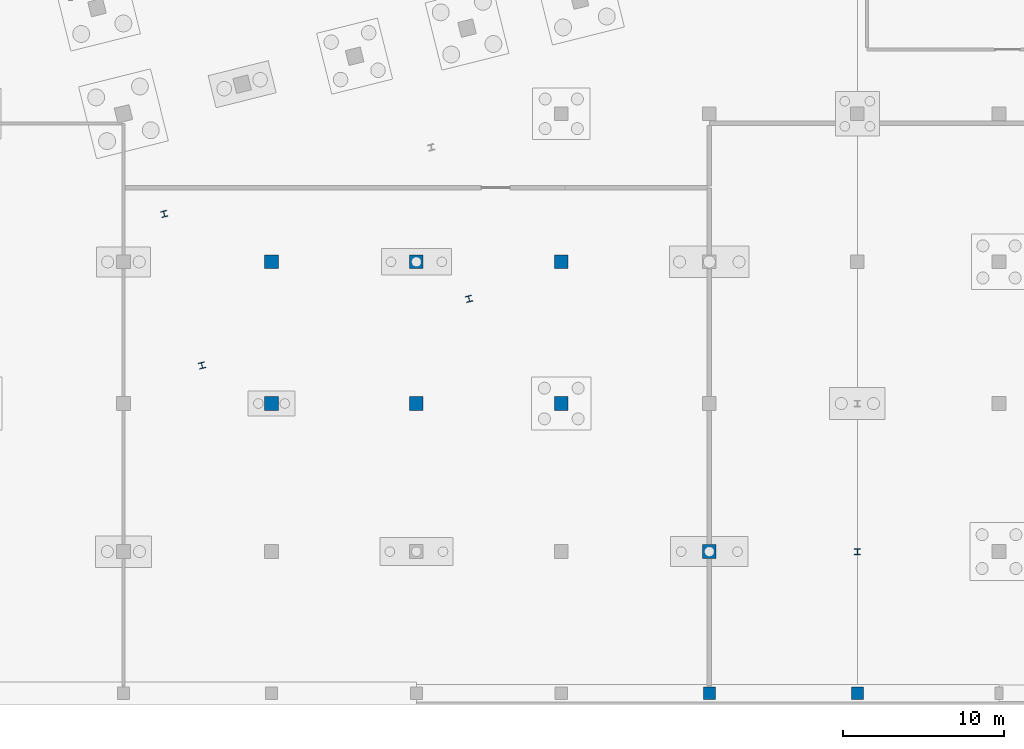
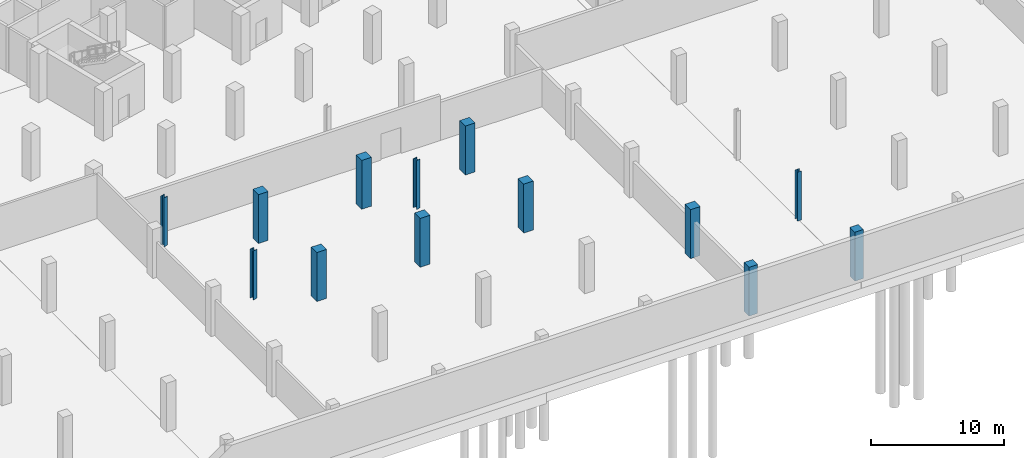
# One storey, part 9 of 29: 13 columns.
"""IFC4 building model written with IfcOpenShell, lengths in metres."""

from ifc_helpers import new_model, si_unit, direction, frame, origin, origin_2d, place, context, subcontext, project, spatial, rectangle, i_section, extrude, material, material_profile, profile_set, type_object, element, save


model = new_model("IFC4")

# Units and contexts
model_context = context("Model", 3, precision=1e-05, world=origin(), true_north=direction((0.0, 1.0)))
body_context = subcontext(model_context, "Body", "Model", "MODEL_VIEW")
ifc_project = project(units=[si_unit("LENGTHUNIT", "METRE"), si_unit("AREAUNIT", "SQUARE_METRE"), si_unit("VOLUMEUNIT", "CUBIC_METRE"), si_unit("PLANEANGLEUNIT", "RADIAN"), si_unit("MASSUNIT", "GRAM", prefix="KILO")], contexts=[model_context])

# Site, building, storey
site_placement = place(None, origin())
site = spatial("IfcSite", under=ifc_project, at=site_placement, CompositionType="ELEMENT")
building_placement = place(site_placement, origin())
building = spatial("IfcBuilding", under=site, at=building_placement, Name="Meriwether Solvik Hall", CompositionType="ELEMENT")
storey_placement = place(building_placement, frame((0.0, 0.0, -9.0)))
storey = spatial("IfcBuildingStorey", under=building, at=storey_placement, Name="B02", CompositionType="ELEMENT", Elevation=-9.0)

# Columns
ifc_material_1 = material(Name="Concrete C40/50", Category="concrete")
ifc_material_profile_1 = material_profile(ifc_material_1, rectangle(XDim=0.75, YDim=0.75, at=origin_2d()), Name="RCC-750X750")
ifc_profile_set_1 = profile_set([ifc_material_profile_1], Name="Concrete C40/50")
column_type_1 = type_object("IfcColumnType", Name="COL-RC-750", PredefinedType="COLUMN", material=ifc_profile_set_1)
for number, where, z_axis, x_axis, name in (
    (1, (105.0, 5.199951171875, 0.0), (0.0, 0.0, 1.0), (1.0, 0.0, 0.0), "Podium Column 12/A (B02)"),
    (2, (114.199951171875, 5.199951171875, 0.0), (0.0, 0.0, 1.0), (1.0, 0.0, 0.0), "Podium Column 13/A (B02)"),
):
    element("IfcColumn", number, at=place(storey_placement, frame(where, z_axis=z_axis, x_axis=x_axis)), inside=storey, type_object=column_type_1, Name=name, PredefinedType="COLUMN", context=body_context, shape_type="SweptSolid", body=[
        extrude(rectangle(XDim=0.75, YDim=0.75, at=origin_2d()), origin(), (0.0, 0.0, 1.0), 4.5),
    ])
ifc_material_2 = material(Name="Concrete C40/50", Category="concrete")
ifc_material_profile_2 = material_profile(ifc_material_2, rectangle(XDim=0.85009765625, YDim=0.85009765625, at=origin_2d()), Name="RCC-850X850")
ifc_profile_set_2 = profile_set([ifc_material_profile_2], Name="Concrete C40/50")
column_type_2 = type_object("IfcColumnType", Name="COL-RC-850", PredefinedType="COLUMN", material=ifc_profile_set_2)
for number, where, z_axis, x_axis, name in (
    (3, (77.800048828125, 23.199951171875, 0.0), (0.0, 0.0, 1.0), (1.0, 0.0, 0.0), "Podium Column 9/C (B02)"),
    (4, (77.800048828125, 32.0, 0.0), (0.0, 0.0, 1.0), (1.0, 0.0, 0.0), "Podium Column 9/D (B02)"),
    (5, (86.800048828125, 23.199951171875, 0.0), (0.0, 0.0, 1.0), (1.0, 0.0, 0.0), "Podium Column 10/C (B02)"),
    (6, (86.800048828125, 32.0, 0.0), (0.0, 0.0, 1.0), (1.0, 0.0, 0.0), "Podium Column 10/D (B02)"),
    (7, (95.800048828125, 23.199951171875, 0.0), (0.0, 0.0, 1.0), (1.0, 0.0, 0.0), "Podium Column 11/C (B02)"),
    (8, (95.800048828125, 32.0, 0.0), (0.0, 0.0, 1.0), (1.0, 0.0, 0.0), "Podium Column 11/D (B02)"),
    (9, (105.0, 14.0, 0.0), (0.0, 0.0, 1.0), (1.0, 0.0, 0.0), "Podium Column 12/B (B02)"),
):
    element("IfcColumn", number, at=place(storey_placement, frame(where, z_axis=z_axis, x_axis=x_axis)), inside=storey, type_object=column_type_2, Name=name, PredefinedType="COLUMN", context=body_context, shape_type="SweptSolid", body=[
        extrude(rectangle(XDim=0.85009765625, YDim=0.85009765625, at=origin_2d()), origin(), (0.0, 0.0, 1.0), 4.5),
    ])
ifc_material_3 = material(Name="Steel A992 Grade 50", Category="steel")
ifc_material_profile_3 = material_profile(ifc_material_3, i_section(OverallWidth=0.3740234375, OverallDepth=0.3720703125, WebThickness=0.016357421875, FlangeThickness=0.026123046875, at=origin_2d()), Name="W14X132")
ifc_profile_set_3 = profile_set([ifc_material_profile_3], Name="Steel A992 Grade 50")
column_type_3 = type_object("IfcColumnType", Name="COL-STL-W14X132", PredefinedType="COLUMN", material=ifc_profile_set_3)
for number, where, z_axis, x_axis, name in (
    (10, (114.199951171875, 14.0, 0.0), (0.0, 0.0, 1.0), (1.0, 0.0, 0.0), "Podium Column 13/B (B02)"),
    (11, (73.477294921875, 25.5654296875, 0.0), (0.0, 0.0, 1.0), (0.970295726276, 0.2419218956, 0.0), "Atrium Cleft Corner Column SW (B02)"),
    (12, (90.0693359375, 29.702392578125, 0.0), (0.0, 0.0, 1.0), (0.970295726276, 0.2419218956, 0.0), "Atrium Cleft Corner Column SE (B02)"),
    (13, (71.130615234375, 34.977294921875, 0.0), (0.0, 0.0, 1.0), (0.970295726276, 0.2419218956, 0.0), "Atrium Cleft Corner Column NW (B02)"),
):
    element("IfcColumn", number, at=place(storey_placement, frame(where, z_axis=z_axis, x_axis=x_axis)), inside=storey, type_object=column_type_3, Name=name, PredefinedType="COLUMN", context=body_context, shape_type="SweptSolid", body=[
        extrude(i_section(OverallWidth=0.3740234375, OverallDepth=0.3720703125, WebThickness=0.016357421875, FlangeThickness=0.026123046875, at=origin_2d()), origin(), (0.0, 0.0, 1.0), 4.5),
    ])

save(model, "model.ifc")
